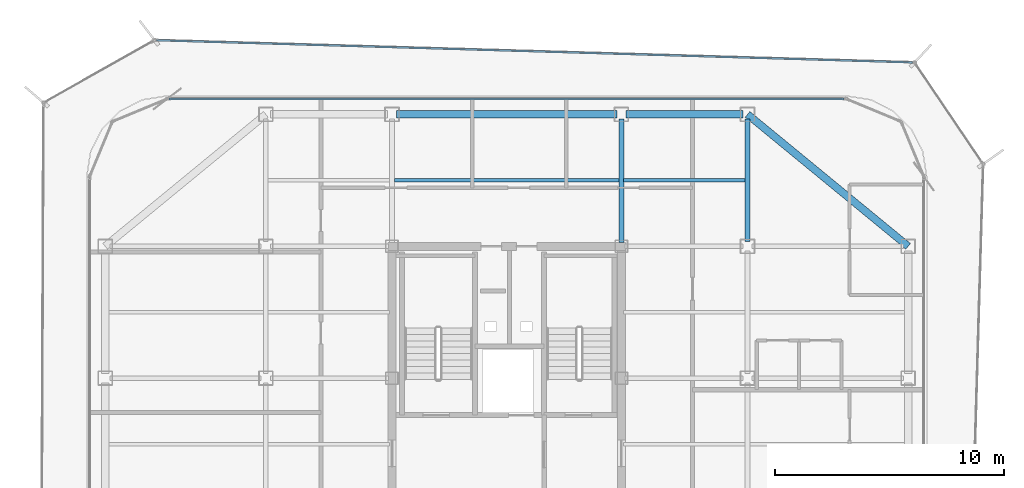
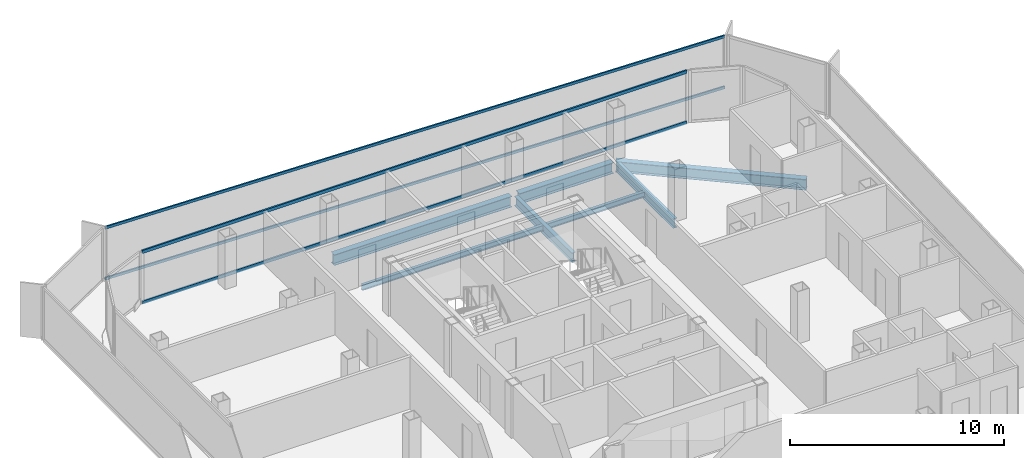
# One storey, part 7 of 15: 7 beams, 4 members, 2 elements without a shape of their own.
"""IFC4 building model written with IfcOpenShell, lengths in metres."""

import ifcopenshell
import ifcopenshell.guid

model = None  # the IFC model being written
_history = None  # IfcOwnerHistory: only IFC2X3 demands one
_inside = {}  # id of a spatial element -> (the spatial element, [elements in it])
_under = {}  # id of a project, library or spatial element -> (it, [spatial elements below it])
_declared = {}  # id of a project -> (the project, [libraries it declares])
_typed = {}  # id of a type object -> (the type object, [elements of that type])
_made_of = {}  # id of a material, layer set ... -> (it, [elements and type objects made of it])


def new_model(schema):
    """Start an empty IFC model of exactly this schema.

    Asked for "IFC4X3", IfcOpenShell would pick the latest addendum, in which some entities
    have other attributes; the version numbers below select the first issue.
    IFC2X3 requires an IfcOwnerHistory on every rooted entity: one is made here for all.
    """
    global model, _history
    if schema == "IFC4X3":
        model = ifcopenshell.file(schema_version=(4, 3, 0, 0))
    else:
        model = ifcopenshell.file(schema=schema)
    _inside.clear()
    _under.clear()
    _declared.clear()
    _typed.clear()
    _made_of.clear()
    _history = None
    if model.schema == "IFC2X3":
        org = make("IfcOrganization", Name="unknown")
        user = make(
            "IfcPersonAndOrganization",
            ThePerson=make("IfcPerson", FamilyName="unknown"),
            TheOrganization=org,
        )
        app = make(
            "IfcApplication",
            ApplicationDeveloper=org,
            Version="unknown",
            ApplicationFullName="unknown",
            ApplicationIdentifier="unknown",
        )
        _history = make(
            "IfcOwnerHistory",
            OwningUser=user,
            OwningApplication=app,
            ChangeAction="ADDED",
            CreationDate=0,
        )
    return model


def make(cls, **values):
    """One entity of the class cls with the attributes given. An attribute that is None is left unset."""
    return model.create_entity(
        cls, **{name: value for name, value in values.items() if value is not None}
    )


def rooted(cls, **values):
    """An entity with a GlobalId (a new one), such as an element, a storey or a relation."""
    return make(cls, GlobalId=ifcopenshell.guid.new(), OwnerHistory=_history, **values)


def si_unit(unit_type, name, prefix=None):
    """IfcSIUnit, for example si_unit("LENGTHUNIT", "METRE", prefix="MILLI")."""
    return make("IfcSIUnit", UnitType=unit_type, Prefix=prefix, Name=name)


def assignment(units):
    """IfcUnitAssignment: the units of a project."""
    return None if units is None else make("IfcUnitAssignment", Units=units)


def point(xyz):
    """IfcCartesianPoint."""
    return None if xyz is None else make("IfcCartesianPoint", Coordinates=xyz)


def direction(xyz):
    """IfcDirection."""
    return None if xyz is None else make("IfcDirection", DirectionRatios=xyz)


def frame(location, z_axis=None, x_axis=None):
    """IfcAxis2Placement3D, a coordinate frame: its origin and axes. An axis left out is left unset."""
    return make(
        "IfcAxis2Placement3D",
        Location=point(location),
        Axis=direction(z_axis),
        RefDirection=direction(x_axis),
    )


def frame_2d(location, x_axis=None):
    """IfcAxis2Placement2D, a coordinate frame in the plane: its origin and x axis."""
    return make(
        "IfcAxis2Placement2D", Location=point(location), RefDirection=direction(x_axis)
    )


def origin():
    """The frame at (0, 0, 0) with its axes left unset."""
    return frame((0.0, 0.0, 0.0))


def origin_2d():
    """The frame at (0, 0) in the plane with its x axis left unset."""
    return frame_2d((0.0, 0.0))


def place(relative_to, where):
    """IfcLocalPlacement: puts the frame where relative to a parent placement (None: the world)."""
    return make(
        "IfcLocalPlacement", PlacementRelTo=relative_to, RelativePlacement=where
    )


def context(
    kind, dimensions, precision=None, world=None, true_north=None, identifier=None
):
    """IfcGeometricRepresentationContext, for example the 3D "Model" context."""
    return make(
        "IfcGeometricRepresentationContext",
        ContextIdentifier=identifier,
        ContextType=kind,
        CoordinateSpaceDimension=dimensions,
        Precision=precision,
        WorldCoordinateSystem=world,
        TrueNorth=true_north,
    )


def subcontext(parent, identifier, kind, view, scale=None):
    """IfcGeometricRepresentationSubContext, for example "Body" below "Model"."""
    return make(
        "IfcGeometricRepresentationSubContext",
        ContextIdentifier=identifier,
        ContextType=kind,
        ParentContext=parent,
        TargetScale=scale,
        TargetView=view,
    )


def project(units=None, contexts=None):
    """IfcProject with its units and contexts."""
    return rooted(
        "IfcProject",
        Name="project",
        RepresentationContexts=contexts,
        UnitsInContext=assignment(units),
    )


def spatial(cls, under=None, at=None, **own):
    """A site, building, storey or space (cls), placed at a placement, below another one or the project."""
    s = rooted(cls, ObjectPlacement=at, **own)
    if under is not None:
        _under.setdefault(under.id(), (under, []))[1].append(s)
    return s


def profile(cls, at=None, kind="AREA", **sizes):
    """A parametric profile (cls). Its sizes go by their IFC names, for example OverallWidth=200.0."""
    return make(cls, ProfileType=kind, Position=at, **sizes)


def hollow_rectangle(**sizes):
    """IfcRectangleHollowProfileDef."""
    return profile("IfcRectangleHollowProfileDef", **sizes)


def i_section(**sizes):
    """IfcIShapeProfileDef."""
    return profile("IfcIShapeProfileDef", **sizes)


def extrude(swept, where, along, depth):
    """IfcExtrudedAreaSolid: the profile swept, set in the frame where, extruded along a direction by depth."""
    return make(
        "IfcExtrudedAreaSolid",
        SweptArea=swept,
        Position=where,
        ExtrudedDirection=direction(along),
        Depth=depth,
    )


def shape(context_of_items, identifier, shape_type, items):
    """IfcShapeRepresentation: the items that make up one representation, for example the "Body"."""
    return make(
        "IfcShapeRepresentation",
        ContextOfItems=context_of_items,
        RepresentationIdentifier=identifier,
        RepresentationType=shape_type,
        Items=items,
    )


def source(mapping_origin, context_of_items, identifier, shape_type, items):
    """IfcRepresentationMap: a shape defined once, which mapped items show again and again."""
    return make(
        "IfcRepresentationMap",
        MappingOrigin=mapping_origin,
        MappedRepresentation=shape(context_of_items, identifier, shape_type, items),
    )


def transform(
    local_origin,
    x_axis=None,
    y_axis=None,
    z_axis=None,
    scale=None,
    scale2=None,
    scale3=None,
    uniform=True,
):
    """IfcCartesianTransformationOperator3D, or its non-uniform kind. x_axis, y_axis, z_axis: its Axis1, 2, 3."""
    if uniform:
        return make(
            "IfcCartesianTransformationOperator3D",
            Axis1=direction(x_axis),
            Axis2=direction(y_axis),
            LocalOrigin=point(local_origin),
            Scale=scale,
            Axis3=direction(z_axis),
        )
    return make(
        "IfcCartesianTransformationOperator3DnonUniform",
        Axis1=direction(x_axis),
        Axis2=direction(y_axis),
        LocalOrigin=point(local_origin),
        Scale=scale,
        Axis3=direction(z_axis),
        Scale2=scale2,
        Scale3=scale3,
    )


def mapped(mapping_source, mapping_target):
    """IfcMappedItem: shows the shape of a source again, moved by a transform."""
    return make(
        "IfcMappedItem", MappingSource=mapping_source, MappingTarget=mapping_target
    )


def material(Name=None, Category=None):
    """IfcMaterial."""
    return make("IfcMaterial", Name=Name, Category=Category)


def layer(
    of_material, thickness, ventilated=None, Name=None, Category=None, Priority=None
):
    """IfcMaterialLayer: one layer of a wall or slab, of a material (None: an air gap)."""
    return make(
        "IfcMaterialLayer",
        Material=of_material,
        LayerThickness=thickness,
        IsVentilated=ventilated,
        Name=Name,
        Category=Category,
        Priority=Priority,
    )


def layer_set(layers, Name=None):
    """IfcMaterialLayerSet."""
    return make("IfcMaterialLayerSet", MaterialLayers=layers, LayerSetName=Name)


def material_profile(
    of_material, cross_section, Name=None, Category=None, Priority=None
):
    """IfcMaterialProfile: a cross section and its material."""
    return make(
        "IfcMaterialProfile",
        Name=Name,
        Material=of_material,
        Profile=cross_section,
        Priority=Priority,
        Category=Category,
    )


def profile_set(profiles, Name=None, composite=None):
    """IfcMaterialProfileSet."""
    return make(
        "IfcMaterialProfileSet",
        Name=Name,
        MaterialProfiles=profiles,
        CompositeProfile=composite,
    )


def made_of(thing, what):
    """Note that an element or type object is made of a material, layer set ...; save() writes the relation."""
    if what is not None:
        _made_of.setdefault(what.id(), (what, []))[1].append(thing)
    return thing


def type_object(cls, material=None, **own):
    """A type object (cls), such as IfcWallType, which elements share."""
    return made_of(rooted(cls, **own), material)


def element(
    cls,
    number,
    at=None,
    inside=None,
    cuts=None,
    type_object=None,
    material=None,
    context=None,
    identifier="Body",
    shape_type=None,
    held_by="IfcProductDefinitionShape",
    body=None,
    shapes=None,
    **own,
):
    """One element of the class cls, such as IfcWall. Its Tag is "e" and its number.

    at: its placement. inside: the storey or other place that contains it. cuts: it is an
    opening in that element (IfcRelVoidsElement). A single representation is given by context,
    identifier, shape_type and body (its items); several are given by shapes. held_by: the class
    of the entity that holds the representations. save() writes the other relations.
    """
    e = rooted(cls, Tag="e%d" % number, ObjectPlacement=at, **own)
    if body is not None:
        shapes = [shape(context, identifier, shape_type, body)]
    if shapes is not None:
        e.Representation = make(held_by, Representations=shapes)
    if inside is not None:
        _inside.setdefault(inside.id(), (inside, []))[1].append(e)
    if cuts is not None:
        rooted(
            "IfcRelVoidsElement", RelatingBuildingElement=cuts, RelatedOpeningElement=e
        )
    if type_object is not None:
        _typed.setdefault(type_object.id(), (type_object, []))[1].append(e)
    return made_of(e, material)


def aggregate(whole, parts):
    """IfcRelAggregates: a whole, such as a stair, and the parts it consists of."""
    return rooted("IfcRelAggregates", RelatingObject=whole, RelatedObjects=parts)


def save(model, path):
    """Write the relations noted so far, then the file.

    IfcRelAggregates (storeys below a building ...), IfcRelContainedInSpatialStructure (elements
    in a storey), IfcRelDefinesByType, IfcRelAssociatesMaterial and IfcRelDeclares: one each for
    every whole, place, type object, material and project.
    """
    for whole, parts in _under.values():
        aggregate(whole, parts)
    for where, things in _inside.values():
        rooted(
            "IfcRelContainedInSpatialStructure",
            RelatedElements=things,
            RelatingStructure=where,
        )
    for kind, things in _typed.values():
        rooted("IfcRelDefinesByType", RelatedObjects=things, RelatingType=kind)
    for what, things in _made_of.values():
        rooted("IfcRelAssociatesMaterial", RelatedObjects=things, RelatingMaterial=what)
    for by, libraries in _declared.values():
        rooted("IfcRelDeclares", RelatingContext=by, RelatedDefinitions=libraries)
    model.write(path)


model = new_model("IFC4")

# Units and contexts
model_context = context("Model", 3, precision=1e-05, world=origin(), true_north=direction((0.0, 1.0)))
body_context = subcontext(model_context, "Body", "Model", "MODEL_VIEW")
ifc_project = project(units=[si_unit("LENGTHUNIT", "METRE"), si_unit("AREAUNIT", "SQUARE_METRE"), si_unit("VOLUMEUNIT", "CUBIC_METRE"), si_unit("PLANEANGLEUNIT", "RADIAN"), si_unit("MASSUNIT", "GRAM", prefix="KILO")], contexts=[model_context])

# Site, building, storey
site_placement = place(None, origin())
site = spatial("IfcSite", under=ifc_project, at=site_placement, CompositionType="ELEMENT")
building_placement = place(site_placement, origin())
building = spatial("IfcBuilding", under=site, at=building_placement, Name="Kolveth Station Tower", CompositionType="ELEMENT")
storey_placement = place(building_placement, frame((0.0, 0.0, 242.5)))
storey = spatial("IfcBuildingStorey", under=building, at=storey_placement, Name="L69", CompositionType="ELEMENT", Elevation=242.5)

# Beams
ifc_material_1 = material(Name="Steel S355", Category="steel")
ifc_material_profile_1 = material_profile(ifc_material_1, i_section(OverallWidth=0.323974609375, OverallDepth=0.611083984375, WebThickness=0.0126953125, FlangeThickness=0.01904296875, at=origin_2d()), Name="W610x155")
ifc_profile_set_1 = profile_set([ifc_material_profile_1], Name="Steel S355")
beam_type_1 = type_object("IfcBeamType", Name="Beam_SP2", PredefinedType="SPANDREL", material=ifc_profile_set_1)
shared_shape_1 = source(origin(), body_context, "Body", "SweptSolid", [
    extrude(i_section(OverallWidth=0.323974609375, OverallDepth=0.611083984375, WebThickness=0.0126953125, FlangeThickness=0.01904296875, at=origin_2d()), origin(), (0.0, 0.0, 1.0), 9.058837890625),
])
beam_1_placement = place(storey_placement, frame((41.0, 28.75, -0.525390625), z_axis=(-0.772726254525, 0.63473942336, 0.0), x_axis=(-0.63473942336, -0.772726254525, 0.0)))
element("IfcBeam", 1, at=beam_1_placement, inside=storey, type_object=beam_type_1, Name="L69 Corner Edge Girder BM-L69-CNR-NE", PredefinedType="SPANDREL", context=body_context, shape_type="MappedRepresentation", body=[
    mapped(shared_shape_1, transform((0.0, 0.0, 0.0), x_axis=(1.0, 0.0, 0.0), y_axis=(0.0, 1.0, 0.0), z_axis=(0.0, 0.0, 1.0), scale=1.0)),
])
shared_shape_2 = source(origin(), body_context, "Body", "SweptSolid", [
    extrude(i_section(OverallWidth=0.323974609375, OverallDepth=0.611083984375, WebThickness=0.0126953125, FlangeThickness=0.01904296875, at=origin_2d()), origin(), (0.0, 0.0, 1.0), 5.10009765625),
])
beam_2_placement = place(storey_placement, frame((28.699951171875, 34.5, -0.525390625), z_axis=(1.0, 0.0, 0.0), x_axis=(0.0, 1.0, 0.0)))
element("IfcBeam", 2, at=beam_2_placement, inside=storey, type_object=beam_type_1, Name="L69 Perimeter Spandrel BM-L69-PN-3", PredefinedType="SPANDREL", context=body_context, shape_type="MappedRepresentation", body=[
    mapped(shared_shape_2, transform((0.0, 0.0, 0.0), x_axis=(1.0, 0.0, 0.0), y_axis=(0.0, 1.0, 0.0), z_axis=(0.0, 0.0, 1.0), scale=1.0)),
])
shared_shape_3 = source(origin(), body_context, "Body", "SweptSolid", [
    extrude(i_section(OverallWidth=0.323974609375, OverallDepth=0.611083984375, WebThickness=0.0126953125, FlangeThickness=0.01904296875, at=origin_2d()), origin(), (0.0, 0.0, 1.0), 9.60009765625),
])
beam_3_placement = place(storey_placement, frame((18.699951171875, 34.5, -0.525390625), z_axis=(1.0, 0.0, 0.0), x_axis=(0.0, 1.0, 0.0)))
element("IfcBeam", 3, at=beam_3_placement, inside=storey, type_object=beam_type_1, Name="L69 Perimeter Spandrel BM-L69-PN-2", PredefinedType="SPANDREL", context=body_context, shape_type="MappedRepresentation", body=[
    mapped(shared_shape_3, transform((0.0, 0.0, 0.0), x_axis=(1.0, 0.0, 0.0), y_axis=(0.0, 1.0, 0.0), z_axis=(0.0, 0.0, 1.0), scale=1.0)),
])
ifc_material_profile_2 = material_profile(ifc_material_1, i_section(OverallWidth=0.2099609375, OverallDepth=0.537109375, WebThickness=0.010986328125, FlangeThickness=0.017333984375, at=origin_2d()), Name="W530x101")
ifc_profile_set_2 = profile_set([ifc_material_profile_2], Name="Steel S355")
beam_type_2 = type_object("IfcBeamType", Name="Beam_B6", PredefinedType="BEAM", material=ifc_profile_set_2)
shared_shape_4 = source(origin(), body_context, "Body", "SweptSolid", [
    extrude(i_section(OverallWidth=0.2099609375, OverallDepth=0.537109375, WebThickness=0.010986328125, FlangeThickness=0.017333984375, at=origin_2d()), origin(), (0.0, 0.0, 1.0), 5.35009765625),
])
beam_4_placement = place(storey_placement, frame((34.0, 28.949951171875, -0.488525390625), z_axis=(0.0, 1.0, 0.0), x_axis=(-1.0, 0.0, 0.0)))
element("IfcBeam", 4, at=beam_4_placement, inside=storey, type_object=beam_type_2, Name="L69 Primary Girder BM-L69-GX340-6", PredefinedType="BEAM", context=body_context, shape_type="MappedRepresentation", body=[
    mapped(shared_shape_4, transform((0.0, 0.0, 0.0), x_axis=(1.0, 0.0, 0.0), y_axis=(0.0, 1.0, 0.0), z_axis=(0.0, 0.0, 1.0), scale=1.0)),
])
shared_shape_5 = source(origin(), body_context, "Body", "SweptSolid", [
    extrude(i_section(OverallWidth=0.2099609375, OverallDepth=0.537109375, WebThickness=0.010986328125, FlangeThickness=0.017333984375, at=origin_2d()), origin(), (0.0, 0.0, 1.0), 5.39013671875),
])
beam_5_placement = place(storey_placement, frame((28.5, 28.909912109375, -0.488525390625), z_axis=(0.0, 1.0, 0.0), x_axis=(-1.0, 0.0, 0.0)))
element("IfcBeam", 5, at=beam_5_placement, inside=storey, type_object=beam_type_2, Name="L69 Primary Girder BM-L69-GX285-6", PredefinedType="BEAM", context=body_context, shape_type="MappedRepresentation", body=[
    mapped(shared_shape_5, transform((0.0, 0.0, 0.0), x_axis=(1.0, 0.0, 0.0), y_axis=(0.0, 1.0, 0.0), z_axis=(0.0, 0.0, 1.0), scale=1.0)),
])
ifc_material_profile_3 = material_profile(ifc_material_1, i_section(OverallWidth=0.1650390625, OverallDepth=0.31005859375, WebThickness=0.005859375, FlangeThickness=0.009765625, at=origin_2d()), Name="W310x39")
ifc_profile_set_3 = profile_set([ifc_material_profile_3], Name="Steel S355")
beam_type_3 = type_object("IfcBeamType", Name="Beam_J3", PredefinedType="JOIST", material=ifc_profile_set_3)
shared_shape_6 = source(origin(), body_context, "Body", "SweptSolid", [
    extrude(i_section(OverallWidth=0.1650390625, OverallDepth=0.31005859375, WebThickness=0.005859375, FlangeThickness=0.009765625, at=origin_2d()), origin(), (0.0, 0.0, 1.0), 5.2939453125),
])
beam_6_placement = place(storey_placement, frame((28.60302734375, 31.625, -0.375), z_axis=(1.0, 0.0, 0.0), x_axis=(0.0, 1.0, 0.0)))
element("IfcBeam", 6, at=beam_6_placement, inside=storey, type_object=beam_type_3, Name="L69 Secondary Joist JST-L69-4-6", PredefinedType="JOIST", context=body_context, shape_type="MappedRepresentation", body=[
    mapped(shared_shape_6, transform((0.0, 0.0, 0.0), x_axis=(1.0, 0.0, 0.0), y_axis=(0.0, 1.0, 0.0), z_axis=(0.0, 0.0, 1.0), scale=1.0)),
])
shared_shape_7 = source(origin(), body_context, "Body", "SweptSolid", [
    extrude(i_section(OverallWidth=0.1650390625, OverallDepth=0.31005859375, WebThickness=0.005859375, FlangeThickness=0.009765625, at=origin_2d()), origin(), (0.0, 0.0, 1.0), 9.7939453125),
])
beam_7_placement = place(storey_placement, frame((18.60302734375, 31.625, -0.375), z_axis=(1.0, 0.0, 0.0), x_axis=(0.0, 1.0, 0.0)))
element("IfcBeam", 7, at=beam_7_placement, inside=storey, type_object=beam_type_3, Name="L69 Secondary Joist JST-L69-3-6", PredefinedType="JOIST", context=body_context, shape_type="MappedRepresentation", body=[
    mapped(shared_shape_7, transform((0.0, 0.0, 0.0), x_axis=(1.0, 0.0, 0.0), y_axis=(0.0, 1.0, 0.0), z_axis=(0.0, 0.0, 1.0), scale=1.0)),
])

# Curtain wall, members
ifc_material_2 = material(Name="Aluminium 6063-T6 and triple low-E dark glass", Category="aluminium")
ifc_layer_1 = layer(ifc_material_2, 0.199951171875)
ifc_layer_set_1 = layer_set([ifc_layer_1], Name="Aluminium 6063-T6 and triple low-E dark glass")
curtain_wall_type_1 = type_object("IfcCurtainWallType", Name="CurtainWall_CW-Z3", PredefinedType="NOTDEFINED", material=ifc_layer_set_1)
curtain_wall_1_placement = place(storey_placement, origin())
curtain_wall_1 = element("IfcCurtainWall", 8, at=curtain_wall_1_placement, inside=storey, type_object=curtain_wall_type_1, Name="L69 Inner Thermal Curtain Wall 6", PredefinedType="NOTDEFINED")
ifc_material_3 = material(Name="Black anodized aluminium 6063-T6", Category="aluminium")
ifc_material_profile_4 = material_profile(ifc_material_3, hollow_rectangle(XDim=0.0849609375, YDim=0.179931640625, WallThickness=0.0048828125, at=origin_2d()), Name="ALU-85x180x5")
ifc_profile_set_4 = profile_set([ifc_material_profile_4], Name="Black anodized aluminium 6063-T6")
member_type_1 = type_object("IfcMemberType", Name="Transom_TR3", PredefinedType="USERDEFINED", material=ifc_profile_set_4)
shared_shape_8 = source(origin(), body_context, "Body", "SweptSolid", [
    extrude(hollow_rectangle(XDim=0.0849609375, YDim=0.179931640625, WallThickness=0.0048828125, at=origin_2d()), origin(), (0.0, 0.0, 1.0), 29.43017578125),
])
member_1_placement = place(storey_placement, frame((38.215087890625, 35.179931640625, 0.04248046875), z_axis=(-1.0, 0.0, 0.0), x_axis=(0.0, -1.0, 0.0)))
member_1 = element("IfcMember", 9, at=member_1_placement, type_object=member_type_1, Name="CW-Z3 transom 1.1", ObjectType="TRANSOM", PredefinedType="USERDEFINED", context=body_context, shape_type="MappedRepresentation", body=[
    mapped(shared_shape_8, transform((0.0, 0.0, 0.0), x_axis=(1.0, 0.0, 0.0), y_axis=(0.0, 1.0, 0.0), z_axis=(0.0, 0.0, 1.0), scale=1.0)),
])
member_2_placement = place(storey_placement, frame((38.215087890625, 35.179931640625, 2.9375), z_axis=(-1.0, 0.0, 0.0), x_axis=(0.0, -1.0, 0.0)))
member_2 = element("IfcMember", 10, at=member_2_placement, type_object=member_type_1, Name="CW-Z3 transom 1.2", ObjectType="TRANSOM", PredefinedType="USERDEFINED", context=body_context, shape_type="MappedRepresentation", body=[
    mapped(shared_shape_8, transform((0.0, 0.0, 0.0), x_axis=(1.0, 0.0, 0.0), y_axis=(0.0, 1.0, 0.0), z_axis=(0.0, 0.0, 1.0), scale=1.0)),
])
aggregate(curtain_wall_1, [member_1, member_2])

ifc_material_4 = material(Name="Black anodized aluminium 6063-T6 and dark solar glass", Category="aluminium")
ifc_layer_2 = layer(ifc_material_4, 0.159912109375)
ifc_layer_set_2 = layer_set([ifc_layer_2], Name="Black anodized aluminium 6063-T6 and dark solar glass")
curtain_wall_type_2 = type_object("IfcCurtainWallType", Name="OUTER SKIN CW-OS", PredefinedType="NOTDEFINED", material=ifc_layer_set_2)
curtain_wall_2_placement = place(storey_placement, origin())
curtain_wall_2 = element("IfcCurtainWall", 11, at=curtain_wall_2_placement, inside=storey, type_object=curtain_wall_type_2, Name="L69 Outer Ventilated Skin Curtain Wall 4", PredefinedType="NOTDEFINED")
ifc_material_profile_5 = material_profile(ifc_material_3, hollow_rectangle(XDim=0.080078125, YDim=0.14990234375, WallThickness=0.0048828125, at=origin_2d()), Name="ALU-80x150x5")
ifc_profile_set_5 = profile_set([ifc_material_profile_5], Name="Black anodized aluminium 6063-T6")
member_type_2 = type_object("IfcMemberType", Name="Transom_TR-OS", PredefinedType="USERDEFINED", material=ifc_profile_set_5)
shared_shape_9 = source(origin(), body_context, "Body", "SweptSolid", [
    extrude(hollow_rectangle(XDim=0.080078125, YDim=0.14990234375, WallThickness=0.0048828125, at=origin_2d()), origin(), (0.0, 0.0, 1.0), 32.9619140625),
])
member_3_placement = place(storey_placement, frame((41.191162109375, 36.7646484375, 0.0400390625), z_axis=(-0.999570196449, 0.029315906439, 0.0), x_axis=(-0.029315906439, -0.999570196449, 0.0)))
member_3 = element("IfcMember", 12, at=member_3_placement, type_object=member_type_2, Name="CW-OS transom 1.1", ObjectType="TRANSOM", PredefinedType="USERDEFINED", context=body_context, shape_type="MappedRepresentation", body=[
    mapped(shared_shape_9, transform((0.0, 0.0, 0.0), x_axis=(1.0, 0.0, 0.0), y_axis=(0.0, 1.0, 0.0), z_axis=(0.0, 0.0, 1.0), scale=1.0)),
])
member_4_placement = place(storey_placement, frame((41.191162109375, 36.7646484375, 2.949951171875), z_axis=(-0.999570196449, 0.029315906439, 0.0), x_axis=(-0.029315906439, -0.999570196449, 0.0)))
member_4 = element("IfcMember", 13, at=member_4_placement, type_object=member_type_2, Name="CW-OS transom 1.2", ObjectType="TRANSOM", PredefinedType="USERDEFINED", context=body_context, shape_type="MappedRepresentation", body=[
    mapped(shared_shape_9, transform((0.0, 0.0, 0.0), x_axis=(1.0, 0.0, 0.0), y_axis=(0.0, 1.0, 0.0), z_axis=(0.0, 0.0, 1.0), scale=1.0)),
])
aggregate(curtain_wall_2, [member_3, member_4])

save(model, "model.ifc")
